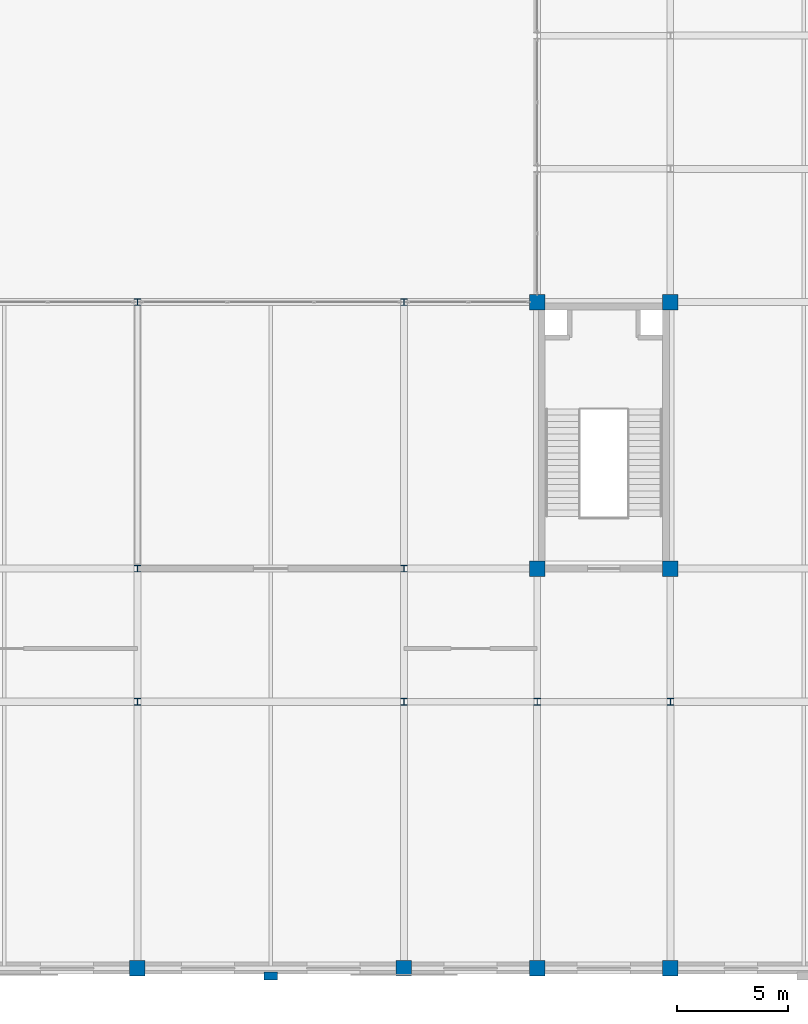
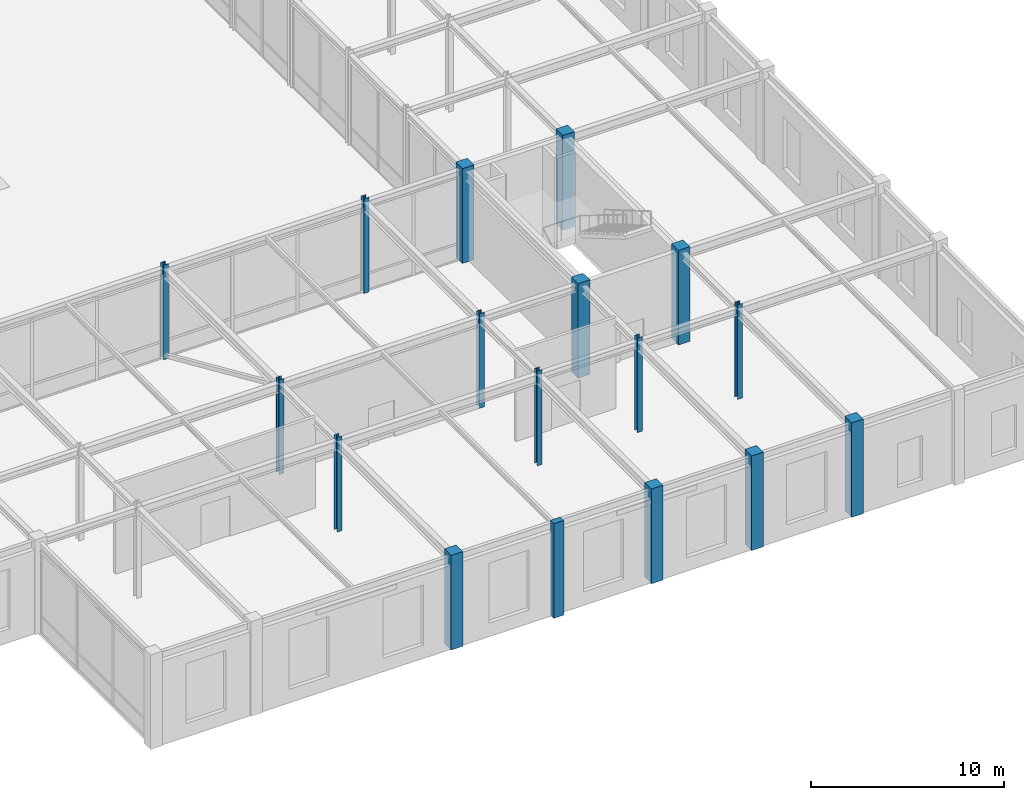
# One storey, part 21 of 108: 17 columns.
"""IFC4 building model written with IfcOpenShell, lengths in metres."""

from ifc_helpers import new_model, si_unit, direction, frame, origin, origin_2d, place, context, subcontext, project, spatial, rectangle, i_section, extrude, material, material_profile, profile_set, type_object, element, save


model = new_model("IFC4")

# Units and contexts
model_context = context("Model", 3, precision=1e-05, world=origin(), true_north=direction((0.0, 1.0)))
body_context = subcontext(model_context, "Body", "Model", "MODEL_VIEW")
ifc_project = project(units=[si_unit("LENGTHUNIT", "METRE"), si_unit("AREAUNIT", "SQUARE_METRE"), si_unit("VOLUMEUNIT", "CUBIC_METRE"), si_unit("PLANEANGLEUNIT", "RADIAN"), si_unit("MASSUNIT", "GRAM", prefix="KILO")], contexts=[model_context])

# Site, building, storey
site_placement = place(None, origin())
site = spatial("IfcSite", under=ifc_project, at=site_placement, CompositionType="ELEMENT")
building_placement = place(site_placement, origin())
building = spatial("IfcBuilding", under=site, at=building_placement, Name="Zlatovratsky Civic Hall", CompositionType="ELEMENT")
storey_placement = place(building_placement, frame((0.0, 0.0, 6.0)))
storey = spatial("IfcBuildingStorey", under=building, at=storey_placement, Name="L02", CompositionType="ELEMENT", Elevation=6.0)

# Columns
ifc_material_1 = material(Name="Concrete C35/45 (B40)", Category="concrete")
ifc_material_profile_1 = material_profile(ifc_material_1, rectangle(XDim=0.699951171875, YDim=0.699951171875, at=origin_2d()), Name="RC 700x700")
ifc_profile_set_1 = profile_set([ifc_material_profile_1], Name="Concrete C35/45 (B40)")
column_type_1 = type_object("IfcColumnType", Name="Col_CorePier_RC700", PredefinedType="COLUMN", material=ifc_profile_set_1)
for number, where, z_axis, x_axis, name in (
    (1, (132.0, 0.0, 0.0), (0.0, 0.0, 1.0), (1.0, 0.0, 0.0), "CL-0831"),
    (2, (144.0, 0.0, 0.0), (0.0, 0.0, 1.0), (1.0, 0.0, 0.0), "CL-0832"),
    (3, (150.0, 0.0, 0.0), (0.0, 0.0, 1.0), (1.0, 0.0, 0.0), "CL-0833"),
    (4, (156.0, 0.0, 0.0), (0.0, 0.0, 1.0), (1.0, 0.0, 0.0), "CL-0834"),
    (5, (150.0, 18.0, 0.0), (0.0, 0.0, 1.0), (1.0, 0.0, 0.0), "CL-0879"),
    (6, (156.0, 18.0, 0.0), (0.0, 0.0, 1.0), (1.0, 0.0, 0.0), "CL-0880"),
    (7, (150.0, 30.0, 0.0), (0.0, 0.0, 1.0), (1.0, 0.0, 0.0), "CL-0899"),
    (8, (156.0, 30.0, 0.0), (0.0, 0.0, 1.0), (1.0, 0.0, 0.0), "CL-0900"),
):
    element("IfcColumn", number, at=place(storey_placement, frame(where, z_axis=z_axis, x_axis=x_axis)), inside=storey, type_object=column_type_1, Name=name, PredefinedType="COLUMN", context=body_context, shape_type="SweptSolid", body=[
        extrude(rectangle(XDim=0.699951171875, YDim=0.699951171875, at=origin_2d()), origin(), (0.0, 0.0, 1.0), 6.0),
    ])
ifc_material_2 = material(Name="Steel S355", Category="steel")
ifc_material_profile_2 = material_profile(ifc_material_2, i_section(OverallWidth=0.300048828125, OverallDepth=0.300048828125, WebThickness=0.010009765625, FlangeThickness=0.014892578125, FilletRadius=0.01806640625, at=origin_2d()), Name="30K2")
ifc_profile_set_2 = profile_set([ifc_material_profile_2], Name="Steel S355")
column_type_2 = type_object("IfcColumnType", Name="Col_Steel_30K2", PredefinedType="COLUMN", material=ifc_profile_set_2)
for number, where, z_axis, x_axis, name in (
    (9, (132.0, 12.0, 0.0), (0.0, 0.0, 1.0), (1.0, 0.0, 0.0), "CL-0854"),
    (10, (144.0, 12.0, 0.0), (0.0, 0.0, 1.0), (1.0, 0.0, 0.0), "CL-0855"),
    (11, (150.0, 12.0, 0.0), (0.0, 0.0, 1.0), (1.0, 0.0, 0.0), "CL-0856"),
    (12, (156.0, 12.0, 0.0), (0.0, 0.0, 1.0), (1.0, 0.0, 0.0), "CL-0857"),
    (13, (132.0, 18.0, 0.0), (0.0, 0.0, 1.0), (1.0, 0.0, 0.0), "CL-0877"),
    (14, (144.0, 18.0, 0.0), (0.0, 0.0, 1.0), (1.0, 0.0, 0.0), "CL-0878"),
    (15, (132.0, 30.0, 0.0), (0.0, 0.0, 1.0), (1.0, 0.0, 0.0), "CL-0897"),
    (16, (144.0, 30.0, 0.0), (0.0, 0.0, 1.0), (1.0, 0.0, 0.0), "CL-0898"),
):
    element("IfcColumn", number, at=place(storey_placement, frame(where, z_axis=z_axis, x_axis=x_axis)), inside=storey, type_object=column_type_2, Name=name, PredefinedType="COLUMN", context=body_context, shape_type="SweptSolid", body=[
        extrude(i_section(OverallWidth=0.300048828125, OverallDepth=0.300048828125, WebThickness=0.010009765625, FlangeThickness=0.014892578125, FilletRadius=0.01806640625, at=origin_2d()), origin(), (0.0, 0.0, 1.0), 6.0),
    ])
ifc_material_profile_3 = material_profile(ifc_material_1, rectangle(XDim=0.60009765625, YDim=0.360107421875, at=origin_2d()), Name="RC 600x360")
ifc_profile_set_3 = profile_set([ifc_material_profile_3], Name="Concrete C35/45 (B40)")
column_type_3 = type_object("IfcColumnType", Name="Pilaster_Classical_RC600x360", PredefinedType="PILASTER", material=ifc_profile_set_3)
column_placement = place(storey_placement, frame((138.0, -0.35009765625, 0.0), z_axis=(0.0, 0.0, 1.0), x_axis=(1.0, 0.0, 0.0)))
element("IfcColumn", 17, at=column_placement, inside=storey, type_object=column_type_3, Name="CL-2733", PredefinedType="PILASTER", context=body_context, shape_type="SweptSolid", body=[
    extrude(rectangle(XDim=0.60009765625, YDim=0.360107421875, at=origin_2d()), origin(), (0.0, 0.0, 1.0), 6.0),
])

save(model, "model.ifc")
